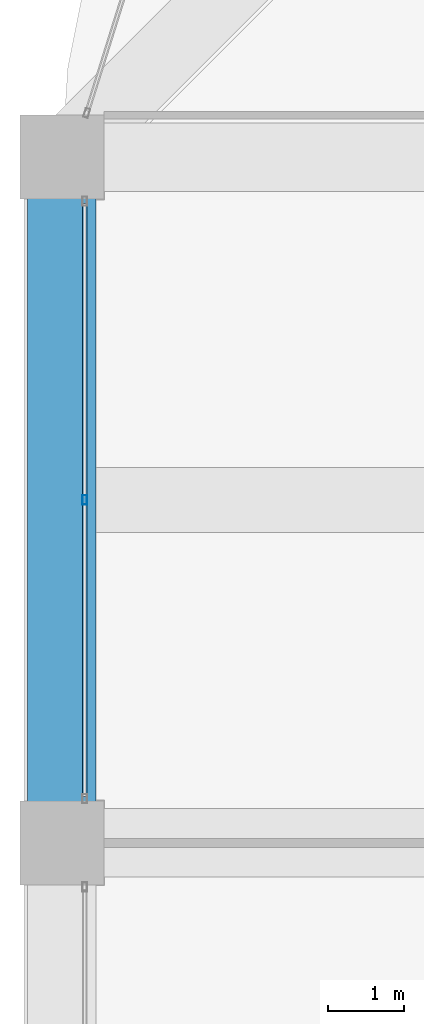
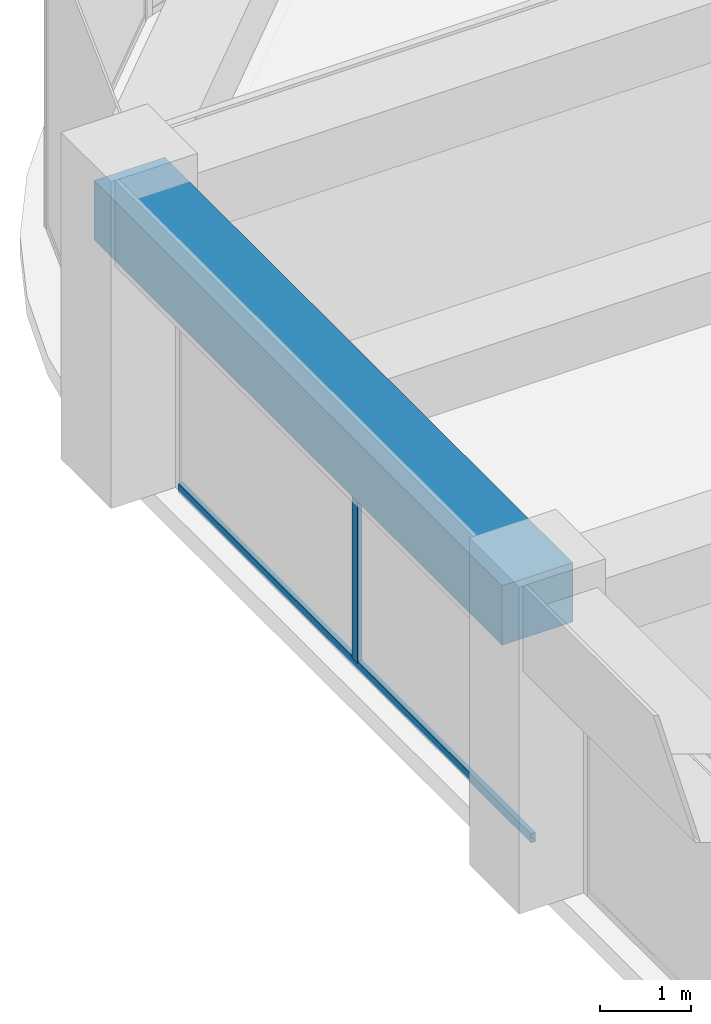
# One storey, part 16 of 44: 2 members, 1 beam, 1 element without a shape of its own.
"""IFC4 building model written with IfcOpenShell, lengths in metres."""

from ifc_helpers import new_model, si_unit, direction, frame, origin, origin_2d, place, context, subcontext, project, spatial, rectangle, hollow_rectangle, extrude, material, material_profile, profile_set, type_object, element, aggregate, save


model = new_model("IFC4")

# Units and contexts
model_context = context("Model", 3, precision=1e-05, world=origin(), true_north=direction((0.0, 1.0)))
body_context = subcontext(model_context, "Body", "Model", "MODEL_VIEW")
ifc_project = project(units=[si_unit("LENGTHUNIT", "METRE"), si_unit("AREAUNIT", "SQUARE_METRE"), si_unit("VOLUMEUNIT", "CUBIC_METRE"), si_unit("PLANEANGLEUNIT", "RADIAN"), si_unit("MASSUNIT", "GRAM", prefix="KILO")], contexts=[model_context])

# Site, building, storey
site_placement = place(None, origin())
site = spatial("IfcSite", under=ifc_project, at=site_placement, CompositionType="ELEMENT")
building_placement = place(site_placement, origin())
building = spatial("IfcBuilding", under=site, at=building_placement, Name="Zorevar Civic Tower", CompositionType="ELEMENT")
storey_placement = place(building_placement, frame((0.0, 0.0, 307.39990234375)))
storey = spatial("IfcBuildingStorey", under=building, at=storey_placement, Name="L75", CompositionType="ELEMENT", Elevation=307.39990234375)

# Curtain wall, members
ifc_material_1 = material(Name="Dark grey solar-control glass in black aluminium frame", Category="aluminium")
curtain_wall_type = type_object("IfcCurtainWallType", Name="Curtain wall CW5 top zone", PredefinedType="NOTDEFINED", material=ifc_material_1)
curtain_wall_placement = place(storey_placement, origin())
curtain_wall = element("IfcCurtainWall", 1, at=curtain_wall_placement, inside=storey, type_object=curtain_wall_type, Name="CW5 L75", PredefinedType="NOTDEFINED")
ifc_material_2 = material(Name="Aluminium, black anodised", Category="aluminium")
ifc_material_profile_1 = material_profile(ifc_material_2, hollow_rectangle(XDim=0.06005859375, YDim=0.1201171875, WallThickness=0.0029296875, at=origin_2d()), Name="AL 120x60x3")
ifc_profile_set_1 = profile_set([ifc_material_profile_1], Name="Aluminium, black anodised")
member_type_1 = type_object("IfcMemberType", Name="CW5 mullion AL 120x60x3", PredefinedType="MULLION", material=ifc_profile_set_1)
member_1_placement = place(storey_placement, frame((9.300048828125, 31.5, 0.06005859375), z_axis=(0.0, 0.0, 1.0), x_axis=(-1.0, 0.0, 0.0)))
member_1 = element("IfcMember", 2, at=member_1_placement, type_object=member_type_1, Name="CW5 mullion 2", PredefinedType="MULLION", context=body_context, shape_type="SweptSolid", body=[
    extrude(hollow_rectangle(XDim=0.06005859375, YDim=0.1201171875, WallThickness=0.0029296875, at=origin_2d()), origin(), (0.0, 0.0, 1.0), 3.18994140625),
])
ifc_material_3 = material(Name="Aluminium, black anodised", Category="aluminium")
ifc_material_profile_2 = material_profile(ifc_material_3, hollow_rectangle(XDim=0.06005859375, YDim=0.1201171875, WallThickness=0.0029296875, at=origin_2d()), Name="AL 120x60x3")
ifc_profile_set_2 = profile_set([ifc_material_profile_2], Name="Aluminium, black anodised")
member_type_2 = type_object("IfcMemberType", Name="CW5 transom AL 120x60x3", PredefinedType="USERDEFINED", material=ifc_profile_set_2)
member_2_placement = place(storey_placement, frame((9.300048828125, 27.610107421875, 0.030029296875), z_axis=(0.0, 1.0, 0.0), x_axis=(-1.0, 0.0, 0.0)))
member_2 = element("IfcMember", 3, at=member_2_placement, type_object=member_type_2, Name="CW5 sill transom", ObjectType="TRANSOM", PredefinedType="USERDEFINED", context=body_context, shape_type="SweptSolid", body=[
    extrude(hollow_rectangle(XDim=0.06005859375, YDim=0.1201171875, WallThickness=0.0029296875, at=origin_2d()), origin(), (0.0, 0.0, 1.0), 7.77978515625),
])
aggregate(curtain_wall, [member_1, member_2])

# Beam
ifc_material_4 = material(Name="Concrete C50/60", Category="concrete")
ifc_material_profile_3 = material_profile(ifc_material_4, rectangle(XDim=0.89990234375, YDim=0.800048828125, at=origin_2d()), Name="RC 900x800")
ifc_profile_set_3 = profile_set([ifc_material_profile_3], Name="Concrete C50/60")
beam_type = type_object("IfcBeamType", Name="Edge beam RC 900x800", PredefinedType="SPANDREL", material=ifc_profile_set_3)
beam_placement = place(storey_placement, frame((9.0, 27.0, 3.650146484375), z_axis=(0.0, 1.0, 0.0), x_axis=(-1.0, 0.0, 0.0)))
element("IfcBeam", 4, at=beam_placement, inside=storey, type_object=beam_type, Name="Edge beam RF", PredefinedType="SPANDREL", context=body_context, shape_type="SweptSolid", body=[
    extrude(rectangle(XDim=0.89990234375, YDim=0.800048828125, at=origin_2d()), origin(), (0.0, 0.0, 1.0), 9.0),
])

save(model, "model.ifc")
